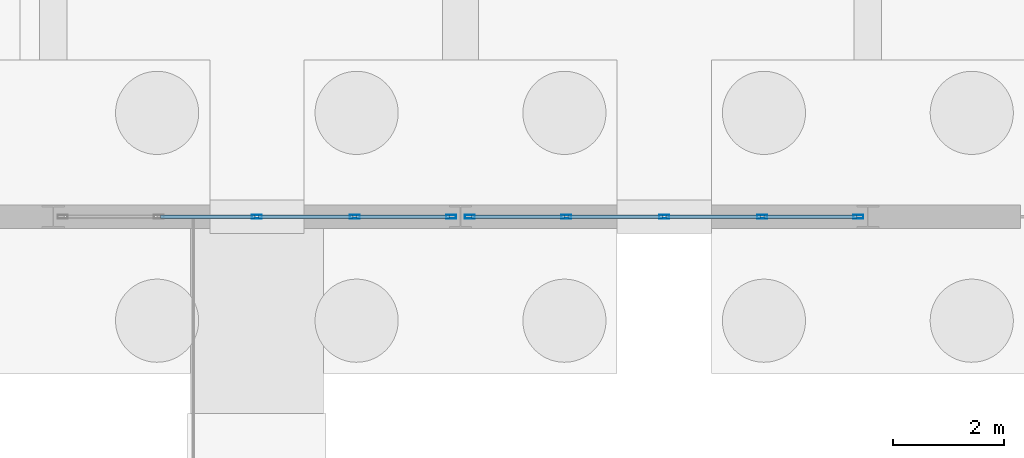
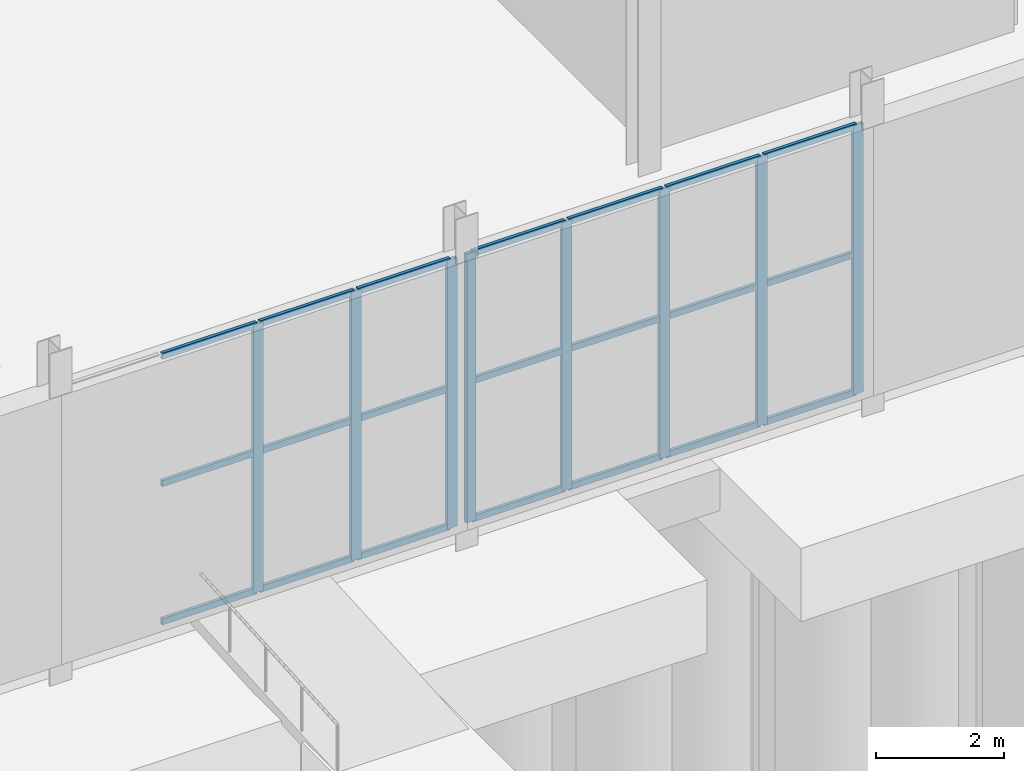
# One storey, part 54 of 139: 29 members, 2 elements without a shape of their own.
"""IFC4 building model written with IfcOpenShell, lengths in metres."""

from ifc_helpers import new_model, si_unit, direction, frame, origin, origin_2d, place, context, subcontext, project, spatial, hollow_rectangle, extrude, material, material_profile, profile_set, type_object, element, aggregate, save


model = new_model("IFC4")

# Units and contexts
model_context = context("Model", 3, precision=1e-05, world=origin(), true_north=direction((0.0, 1.0)))
body_context = subcontext(model_context, "Body", "Model", "MODEL_VIEW")
ifc_project = project(units=[si_unit("LENGTHUNIT", "METRE"), si_unit("AREAUNIT", "SQUARE_METRE"), si_unit("VOLUMEUNIT", "CUBIC_METRE"), si_unit("PLANEANGLEUNIT", "RADIAN"), si_unit("MASSUNIT", "GRAM", prefix="KILO")], contexts=[model_context])

# Site, building, storey
site_placement = place(None, origin())
site = spatial("IfcSite", under=ifc_project, at=site_placement, CompositionType="ELEMENT")
building_placement = place(site_placement, origin())
building = spatial("IfcBuilding", under=site, at=building_placement, Name="Kazenagashi Tramway Depot", CompositionType="ELEMENT")
storey_placement = place(building_placement, origin())
storey = spatial("IfcBuildingStorey", under=building, at=storey_placement, Name="L01", CompositionType="ELEMENT", Elevation=0.0)

# Curtain wall, members
ifc_material_1 = material(Name="Anodised Aluminium and Low-E Glazing", Category="aluminium")
curtain_wall_type = type_object("IfcCurtainWallType", Name="CW-24", PredefinedType="USERDEFINED", material=ifc_material_1)
curtain_wall_1_placement = place(storey_placement, origin())
curtain_wall_1 = element("IfcCurtainWall", 1, at=curtain_wall_1_placement, inside=storey, type_object=curtain_wall_type, Name="Industrial Glazed Screen CW-24 CW-0137", ObjectType="GLAZED SCREEN", PredefinedType="USERDEFINED")
ifc_material_2 = material(Name="Anodised Aluminium", Category="aluminium")
ifc_material_profile_1 = material_profile(ifc_material_2, hollow_rectangle(XDim=0.07, YDim=0.18, WallThickness=0.005, at=origin_2d()), Name="RHS-180x70x5")
ifc_profile_set_1 = profile_set([ifc_material_profile_1], Name="Anodised Aluminium")
member_type_1 = type_object("IfcMemberType", Name="ML-02", PredefinedType="MULLION", material=ifc_profile_set_1)
member_1_placement = place(storey_placement, frame((18.375, 0.0, 0.0), z_axis=(0.0, 0.0, 1.0), x_axis=(0.0, 1.0, 0.0)))
member_1 = element("IfcMember", 2, at=member_1_placement, type_object=member_type_1, Name="CW-24 mullion 3", PredefinedType="MULLION", context=body_context, shape_type="SweptSolid", body=[
    extrude(hollow_rectangle(XDim=0.07, YDim=0.18, WallThickness=0.005, at=origin_2d()), origin(), (0.0, 0.0, 1.0), 5.14),
])
member_2_placement = place(storey_placement, frame((20.1425, 0.0, 0.0), z_axis=(0.0, 0.0, 1.0), x_axis=(0.0, 1.0, 0.0)))
member_2 = element("IfcMember", 3, at=member_2_placement, type_object=member_type_1, Name="CW-24 mullion 4", PredefinedType="MULLION", context=body_context, shape_type="SweptSolid", body=[
    extrude(hollow_rectangle(XDim=0.07, YDim=0.18, WallThickness=0.005, at=origin_2d()), origin(), (0.0, 0.0, 1.0), 5.14),
])
member_3_placement = place(storey_placement, frame((21.88, 0.0, 0.0), z_axis=(0.0, 0.0, 1.0), x_axis=(0.0, 1.0, 0.0)))
member_3 = element("IfcMember", 4, at=member_3_placement, type_object=member_type_1, Name="CW-24 mullion 5", PredefinedType="MULLION", context=body_context, shape_type="SweptSolid", body=[
    extrude(hollow_rectangle(XDim=0.07, YDim=0.18, WallThickness=0.005, at=origin_2d()), origin(), (0.0, 0.0, 1.0), 5.14),
])

curtain_wall_2_placement = place(storey_placement, origin())
curtain_wall_2 = element("IfcCurtainWall", 5, at=curtain_wall_2_placement, inside=storey, type_object=curtain_wall_type, Name="Industrial Glazed Screen CW-24 CW-0139", ObjectType="GLAZED SCREEN", PredefinedType="USERDEFINED")
member_4_placement = place(storey_placement, frame((22.22, 0.0, 0.0), z_axis=(0.0, 0.0, 1.0), x_axis=(0.0, 1.0, 0.0)))
member_4 = element("IfcMember", 6, at=member_4_placement, type_object=member_type_1, Name="CW-24 mullion 1", PredefinedType="MULLION", context=body_context, shape_type="SweptSolid", body=[
    extrude(hollow_rectangle(XDim=0.07, YDim=0.18, WallThickness=0.005, at=origin_2d()), origin(), (0.0, 0.0, 1.0), 5.14),
])
member_5_placement = place(storey_placement, frame((23.9575, 0.0, 0.0), z_axis=(0.0, 0.0, 1.0), x_axis=(0.0, 1.0, 0.0)))
member_5 = element("IfcMember", 7, at=member_5_placement, type_object=member_type_1, Name="CW-24 mullion 2", PredefinedType="MULLION", context=body_context, shape_type="SweptSolid", body=[
    extrude(hollow_rectangle(XDim=0.07, YDim=0.18, WallThickness=0.005, at=origin_2d()), origin(), (0.0, 0.0, 1.0), 5.14),
])
member_6_placement = place(storey_placement, frame((25.725, 0.0, 0.0), z_axis=(0.0, 0.0, 1.0), x_axis=(0.0, 1.0, 0.0)))
member_6 = element("IfcMember", 8, at=member_6_placement, type_object=member_type_1, Name="CW-24 mullion 3", PredefinedType="MULLION", context=body_context, shape_type="SweptSolid", body=[
    extrude(hollow_rectangle(XDim=0.07, YDim=0.18, WallThickness=0.005, at=origin_2d()), origin(), (0.0, 0.0, 1.0), 5.14),
])
member_7_placement = place(storey_placement, frame((27.4925, 0.0, 0.0), z_axis=(0.0, 0.0, 1.0), x_axis=(0.0, 1.0, 0.0)))
member_7 = element("IfcMember", 9, at=member_7_placement, type_object=member_type_1, Name="CW-24 mullion 4", PredefinedType="MULLION", context=body_context, shape_type="SweptSolid", body=[
    extrude(hollow_rectangle(XDim=0.07, YDim=0.18, WallThickness=0.005, at=origin_2d()), origin(), (0.0, 0.0, 1.0), 5.14),
])
member_8_placement = place(storey_placement, frame((29.23, 0.0, 0.0), z_axis=(0.0, 0.0, 1.0), x_axis=(0.0, 1.0, 0.0)))
member_8 = element("IfcMember", 10, at=member_8_placement, type_object=member_type_1, Name="CW-24 mullion 5", PredefinedType="MULLION", context=body_context, shape_type="SweptSolid", body=[
    extrude(hollow_rectangle(XDim=0.07, YDim=0.18, WallThickness=0.005, at=origin_2d()), origin(), (0.0, 0.0, 1.0), 5.14),
])

# Member
ifc_material_profile_2 = material_profile(ifc_material_2, hollow_rectangle(XDim=0.06, YDim=0.12, WallThickness=0.004, at=origin_2d()), Name="RHS-120x60x4")
ifc_profile_set_2 = profile_set([ifc_material_profile_2], Name="Anodised Aluminium")
member_type_2 = type_object("IfcMemberType", Name="TR-01", PredefinedType="USERDEFINED", material=ifc_profile_set_2)
member_9_placement = place(storey_placement, frame((16.6375, 0.0, 0.03), z_axis=(1.0, 0.0, 0.0), x_axis=(0.0, 1.0, 0.0)))
member_9 = element("IfcMember", 11, at=member_9_placement, type_object=member_type_2, Name="CW-24 transom 2.1", ObjectType="TRANSOM", PredefinedType="USERDEFINED", context=body_context, shape_type="SweptSolid", body=[
    extrude(hollow_rectangle(XDim=0.06, YDim=0.12, WallThickness=0.004, at=origin_2d()), origin(), (0.0, 0.0, 1.0), 1.7075),
])

member_10_placement = place(storey_placement, frame((16.6375, 0.0, 2.673), z_axis=(1.0, 0.0, 0.0), x_axis=(0.0, 1.0, 0.0)))
member_10 = element("IfcMember", 12, at=member_10_placement, type_object=member_type_2, Name="CW-24 transom 2.2", ObjectType="TRANSOM", PredefinedType="USERDEFINED", context=body_context, shape_type="SweptSolid", body=[
    extrude(hollow_rectangle(XDim=0.06, YDim=0.12, WallThickness=0.004, at=origin_2d()), origin(), (0.0, 0.0, 1.0), 1.7075),
])

member_11_placement = place(storey_placement, frame((16.6375, 0.0, 5.11), z_axis=(1.0, 0.0, 0.0), x_axis=(0.0, 1.0, 0.0)))
member_11 = element("IfcMember", 13, at=member_11_placement, type_object=member_type_2, Name="CW-24 transom 2.3", ObjectType="TRANSOM", PredefinedType="USERDEFINED", context=body_context, shape_type="SweptSolid", body=[
    extrude(hollow_rectangle(XDim=0.06, YDim=0.12, WallThickness=0.004, at=origin_2d()), origin(), (0.0, 0.0, 1.0), 1.7075),
])

member_12_placement = place(storey_placement, frame((18.405, 0.0, 0.03), z_axis=(1.0, 0.0, 0.0), x_axis=(0.0, 1.0, 0.0)))
member_12 = element("IfcMember", 14, at=member_12_placement, type_object=member_type_2, Name="CW-24 transom 3.1", ObjectType="TRANSOM", PredefinedType="USERDEFINED", context=body_context, shape_type="SweptSolid", body=[
    extrude(hollow_rectangle(XDim=0.06, YDim=0.12, WallThickness=0.004, at=origin_2d()), origin(), (0.0, 0.0, 1.0), 1.7075),
])

member_13_placement = place(storey_placement, frame((18.405, 0.0, 2.673), z_axis=(1.0, 0.0, 0.0), x_axis=(0.0, 1.0, 0.0)))
member_13 = element("IfcMember", 15, at=member_13_placement, type_object=member_type_2, Name="CW-24 transom 3.2", ObjectType="TRANSOM", PredefinedType="USERDEFINED", context=body_context, shape_type="SweptSolid", body=[
    extrude(hollow_rectangle(XDim=0.06, YDim=0.12, WallThickness=0.004, at=origin_2d()), origin(), (0.0, 0.0, 1.0), 1.7075),
])

member_14_placement = place(storey_placement, frame((18.405, 0.0, 5.11), z_axis=(1.0, 0.0, 0.0), x_axis=(0.0, 1.0, 0.0)))
member_14 = element("IfcMember", 16, at=member_14_placement, type_object=member_type_2, Name="CW-24 transom 3.3", ObjectType="TRANSOM", PredefinedType="USERDEFINED", context=body_context, shape_type="SweptSolid", body=[
    extrude(hollow_rectangle(XDim=0.06, YDim=0.12, WallThickness=0.004, at=origin_2d()), origin(), (0.0, 0.0, 1.0), 1.7075),
])

member_15_placement = place(storey_placement, frame((20.1725, 0.0, 0.03), z_axis=(1.0, 0.0, 0.0), x_axis=(0.0, 1.0, 0.0)))
member_15 = element("IfcMember", 17, at=member_15_placement, type_object=member_type_2, Name="CW-24 transom 4.1", ObjectType="TRANSOM", PredefinedType="USERDEFINED", context=body_context, shape_type="SweptSolid", body=[
    extrude(hollow_rectangle(XDim=0.06, YDim=0.12, WallThickness=0.004, at=origin_2d()), origin(), (0.0, 0.0, 1.0), 1.6775),
])

member_16_placement = place(storey_placement, frame((20.1725, 0.0, 2.673), z_axis=(1.0, 0.0, 0.0), x_axis=(0.0, 1.0, 0.0)))
member_16 = element("IfcMember", 18, at=member_16_placement, type_object=member_type_2, Name="CW-24 transom 4.2", ObjectType="TRANSOM", PredefinedType="USERDEFINED", context=body_context, shape_type="SweptSolid", body=[
    extrude(hollow_rectangle(XDim=0.06, YDim=0.12, WallThickness=0.004, at=origin_2d()), origin(), (0.0, 0.0, 1.0), 1.6775),
])

member_17_placement = place(storey_placement, frame((20.1725, 0.0, 5.11), z_axis=(1.0, 0.0, 0.0), x_axis=(0.0, 1.0, 0.0)))
member_17 = element("IfcMember", 19, at=member_17_placement, type_object=member_type_2, Name="CW-24 transom 4.3", ObjectType="TRANSOM", PredefinedType="USERDEFINED", context=body_context, shape_type="SweptSolid", body=[
    extrude(hollow_rectangle(XDim=0.06, YDim=0.12, WallThickness=0.004, at=origin_2d()), origin(), (0.0, 0.0, 1.0), 1.6775),
])

aggregate(curtain_wall_1, [member_1, member_2, member_3, member_9, member_10, member_11, member_12, member_13, member_14, member_15, member_16, member_17])

member_18_placement = place(storey_placement, frame((22.25, 0.0, 0.03), z_axis=(1.0, 0.0, 0.0), x_axis=(0.0, 1.0, 0.0)))
member_18 = element("IfcMember", 20, at=member_18_placement, type_object=member_type_2, Name="CW-24 transom 1.1", ObjectType="TRANSOM", PredefinedType="USERDEFINED", context=body_context, shape_type="SweptSolid", body=[
    extrude(hollow_rectangle(XDim=0.06, YDim=0.12, WallThickness=0.004, at=origin_2d()), origin(), (0.0, 0.0, 1.0), 1.6775),
])

member_19_placement = place(storey_placement, frame((22.25, 0.0, 2.673), z_axis=(1.0, 0.0, 0.0), x_axis=(0.0, 1.0, 0.0)))
member_19 = element("IfcMember", 21, at=member_19_placement, type_object=member_type_2, Name="CW-24 transom 1.2", ObjectType="TRANSOM", PredefinedType="USERDEFINED", context=body_context, shape_type="SweptSolid", body=[
    extrude(hollow_rectangle(XDim=0.06, YDim=0.12, WallThickness=0.004, at=origin_2d()), origin(), (0.0, 0.0, 1.0), 1.6775),
])

member_20_placement = place(storey_placement, frame((22.25, 0.0, 5.11), z_axis=(1.0, 0.0, 0.0), x_axis=(0.0, 1.0, 0.0)))
member_20 = element("IfcMember", 22, at=member_20_placement, type_object=member_type_2, Name="CW-24 transom 1.3", ObjectType="TRANSOM", PredefinedType="USERDEFINED", context=body_context, shape_type="SweptSolid", body=[
    extrude(hollow_rectangle(XDim=0.06, YDim=0.12, WallThickness=0.004, at=origin_2d()), origin(), (0.0, 0.0, 1.0), 1.6775),
])

member_21_placement = place(storey_placement, frame((23.9875, 0.0, 0.03), z_axis=(1.0, 0.0, 0.0), x_axis=(0.0, 1.0, 0.0)))
member_21 = element("IfcMember", 23, at=member_21_placement, type_object=member_type_2, Name="CW-24 transom 2.1", ObjectType="TRANSOM", PredefinedType="USERDEFINED", context=body_context, shape_type="SweptSolid", body=[
    extrude(hollow_rectangle(XDim=0.06, YDim=0.12, WallThickness=0.004, at=origin_2d()), origin(), (0.0, 0.0, 1.0), 1.7075),
])

member_22_placement = place(storey_placement, frame((23.9875, 0.0, 2.673), z_axis=(1.0, 0.0, 0.0), x_axis=(0.0, 1.0, 0.0)))
member_22 = element("IfcMember", 24, at=member_22_placement, type_object=member_type_2, Name="CW-24 transom 2.2", ObjectType="TRANSOM", PredefinedType="USERDEFINED", context=body_context, shape_type="SweptSolid", body=[
    extrude(hollow_rectangle(XDim=0.06, YDim=0.12, WallThickness=0.004, at=origin_2d()), origin(), (0.0, 0.0, 1.0), 1.7075),
])

member_23_placement = place(storey_placement, frame((23.9875, 0.0, 5.11), z_axis=(1.0, 0.0, 0.0), x_axis=(0.0, 1.0, 0.0)))
member_23 = element("IfcMember", 25, at=member_23_placement, type_object=member_type_2, Name="CW-24 transom 2.3", ObjectType="TRANSOM", PredefinedType="USERDEFINED", context=body_context, shape_type="SweptSolid", body=[
    extrude(hollow_rectangle(XDim=0.06, YDim=0.12, WallThickness=0.004, at=origin_2d()), origin(), (0.0, 0.0, 1.0), 1.7075),
])

member_24_placement = place(storey_placement, frame((25.755, 0.0, 0.03), z_axis=(1.0, 0.0, 0.0), x_axis=(0.0, 1.0, 0.0)))
member_24 = element("IfcMember", 26, at=member_24_placement, type_object=member_type_2, Name="CW-24 transom 3.1", ObjectType="TRANSOM", PredefinedType="USERDEFINED", context=body_context, shape_type="SweptSolid", body=[
    extrude(hollow_rectangle(XDim=0.06, YDim=0.12, WallThickness=0.004, at=origin_2d()), origin(), (0.0, 0.0, 1.0), 1.7075),
])

member_25_placement = place(storey_placement, frame((25.755, 0.0, 2.673), z_axis=(1.0, 0.0, 0.0), x_axis=(0.0, 1.0, 0.0)))
member_25 = element("IfcMember", 27, at=member_25_placement, type_object=member_type_2, Name="CW-24 transom 3.2", ObjectType="TRANSOM", PredefinedType="USERDEFINED", context=body_context, shape_type="SweptSolid", body=[
    extrude(hollow_rectangle(XDim=0.06, YDim=0.12, WallThickness=0.004, at=origin_2d()), origin(), (0.0, 0.0, 1.0), 1.7075),
])

member_26_placement = place(storey_placement, frame((25.755, 0.0, 5.11), z_axis=(1.0, 0.0, 0.0), x_axis=(0.0, 1.0, 0.0)))
member_26 = element("IfcMember", 28, at=member_26_placement, type_object=member_type_2, Name="CW-24 transom 3.3", ObjectType="TRANSOM", PredefinedType="USERDEFINED", context=body_context, shape_type="SweptSolid", body=[
    extrude(hollow_rectangle(XDim=0.06, YDim=0.12, WallThickness=0.004, at=origin_2d()), origin(), (0.0, 0.0, 1.0), 1.7075),
])

member_27_placement = place(storey_placement, frame((27.5225, 0.0, 0.03), z_axis=(1.0, 0.0, 0.0), x_axis=(0.0, 1.0, 0.0)))
member_27 = element("IfcMember", 29, at=member_27_placement, type_object=member_type_2, Name="CW-24 transom 4.1", ObjectType="TRANSOM", PredefinedType="USERDEFINED", context=body_context, shape_type="SweptSolid", body=[
    extrude(hollow_rectangle(XDim=0.06, YDim=0.12, WallThickness=0.004, at=origin_2d()), origin(), (0.0, 0.0, 1.0), 1.6775),
])

member_28_placement = place(storey_placement, frame((27.5225, 0.0, 2.673), z_axis=(1.0, 0.0, 0.0), x_axis=(0.0, 1.0, 0.0)))
member_28 = element("IfcMember", 30, at=member_28_placement, type_object=member_type_2, Name="CW-24 transom 4.2", ObjectType="TRANSOM", PredefinedType="USERDEFINED", context=body_context, shape_type="SweptSolid", body=[
    extrude(hollow_rectangle(XDim=0.06, YDim=0.12, WallThickness=0.004, at=origin_2d()), origin(), (0.0, 0.0, 1.0), 1.6775),
])

member_29_placement = place(storey_placement, frame((27.5225, 0.0, 5.11), z_axis=(1.0, 0.0, 0.0), x_axis=(0.0, 1.0, 0.0)))
member_29 = element("IfcMember", 31, at=member_29_placement, type_object=member_type_2, Name="CW-24 transom 4.3", ObjectType="TRANSOM", PredefinedType="USERDEFINED", context=body_context, shape_type="SweptSolid", body=[
    extrude(hollow_rectangle(XDim=0.06, YDim=0.12, WallThickness=0.004, at=origin_2d()), origin(), (0.0, 0.0, 1.0), 1.6775),
])

aggregate(curtain_wall_2, [member_4, member_5, member_6, member_7, member_8, member_18, member_19, member_20, member_21, member_22, member_23, member_24, member_25, member_26, member_27, member_28, member_29])

save(model, "model.ifc")
